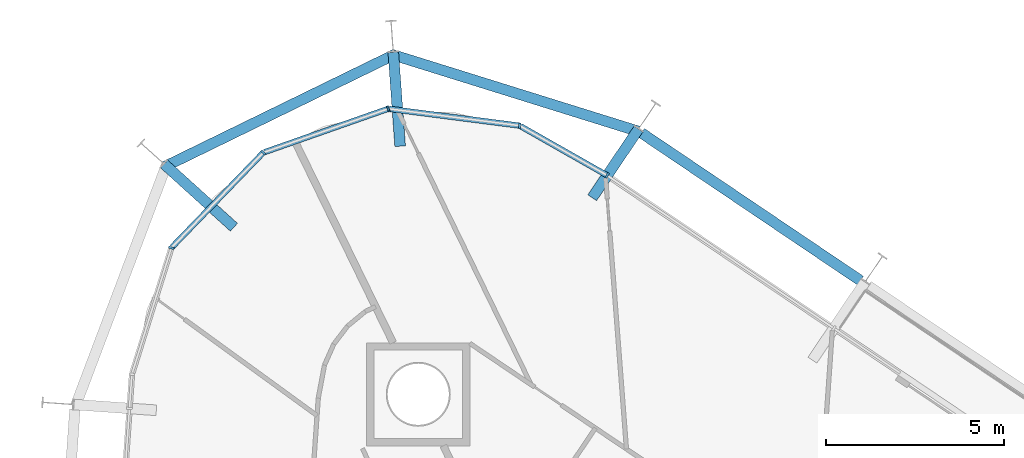
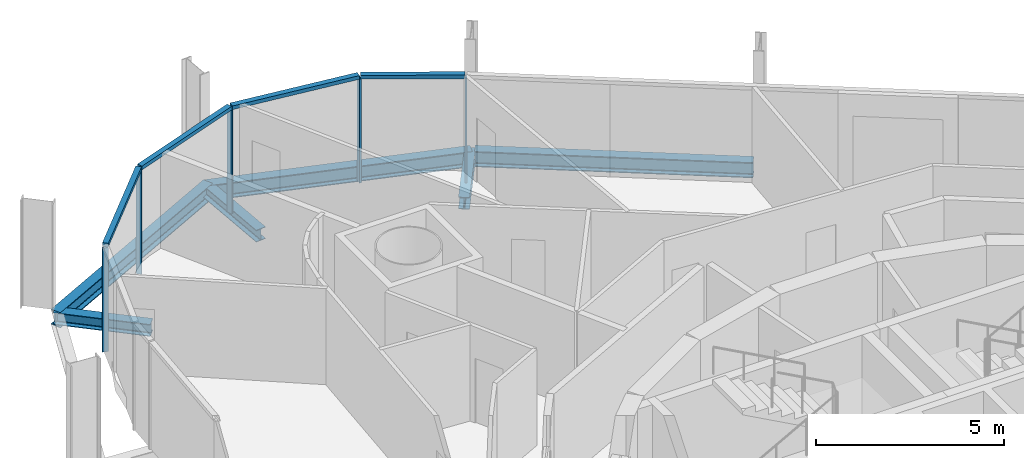
# One storey, part 8 of 17: 9 members, 6 beams, 1 element without a shape of its own.
"""IFC4 building model written with IfcOpenShell, lengths in metres."""

from ifc_helpers import new_model, si_unit, direction, frame, origin, origin_2d, place, context, subcontext, project, spatial, rectangle, i_section, extrude, material, layer, layer_set, material_profile, profile_set, type_object, element, aggregate, save


model = new_model("IFC4")

# Units and contexts
model_context = context("Model", 3, precision=1e-05, world=origin(), true_north=direction((0.0, 1.0)))
body_context = subcontext(model_context, "Body", "Model", "MODEL_VIEW")
ifc_project = project(units=[si_unit("LENGTHUNIT", "METRE"), si_unit("AREAUNIT", "SQUARE_METRE"), si_unit("VOLUMEUNIT", "CUBIC_METRE"), si_unit("PLANEANGLEUNIT", "RADIAN"), si_unit("MASSUNIT", "GRAM", prefix="KILO")], contexts=[model_context])

# Site, building, storey
site_placement = place(None, origin())
site = spatial("IfcSite", under=ifc_project, at=site_placement, CompositionType="ELEMENT")
building_placement = place(site_placement, origin())
building = spatial("IfcBuilding", under=site, at=building_placement, Name="Spindle Arch Residences", CompositionType="ELEMENT")
storey_placement = place(building_placement, frame((0.0, 0.0, 191.89990234375)))
storey = spatial("IfcBuildingStorey", under=building, at=storey_placement, Name="L48", CompositionType="ELEMENT", Elevation=191.89990234375)

# Curtain wall, members
ifc_material_1 = material(Name="Aluminium bronze unitised frame with tinted glass", Category="aluminium")
ifc_layer = layer(ifc_material_1, 0.159912109375)
ifc_layer_set = layer_set([ifc_layer], Name="CW-D corner wall on the fillet arcs")
curtain_wall_type = type_object("IfcCurtainWallType", Name="CW-D corner wall on the fillet arcs", PredefinedType="NOTDEFINED", material=ifc_layer_set)
curtain_wall_placement = place(storey_placement, origin())
curtain_wall = element("IfcCurtainWall", 1, at=curtain_wall_placement, inside=storey, type_object=curtain_wall_type, Name="CW-D L48 run 3", PredefinedType="NOTDEFINED")
ifc_material_2 = material(Name="Aluminium bronze anodised mullion", Category="aluminium")
ifc_material_profile_1 = material_profile(ifc_material_2, rectangle(XDim=0.159912109375, YDim=0.06005859375, at=origin_2d()), Name="MU 60x160")
ifc_profile_set_1 = profile_set([ifc_material_profile_1], Name="Aluminium bronze anodised mullion")
member_type_1 = type_object("IfcMemberType", Name="Bronze mullion 60x160", PredefinedType="MULLION", material=ifc_profile_set_1)
member_1_placement = place(storey_placement, frame((-3.608642578125, 24.46044921875, -0.3798828125), z_axis=(0.0, 0.0, 1.0), x_axis=(-0.493864780547, -0.86953871595, 0.0)))
member_1 = element("IfcMember", 2, at=member_1_placement, type_object=member_type_1, Name="CW-D mullion 00", PredefinedType="MULLION", context=body_context, shape_type="SweptSolid", body=[
    extrude(rectangle(XDim=0.159912109375, YDim=0.06005859375, at=origin_2d()), origin(), (0.0, 0.0, 1.0), 3.3798828125),
])
member_2_placement = place(storey_placement, frame((-6.07421875, 25.86083984375, -0.3798828125), z_axis=(0.0, 0.0, 1.0), x_axis=(-0.127641651888, -0.991820351023, 0.0)))
member_2 = element("IfcMember", 3, at=member_2_placement, type_object=member_type_1, Name="CW-D mullion 01", PredefinedType="MULLION", context=body_context, shape_type="SweptSolid", body=[
    extrude(rectangle(XDim=0.159912109375, YDim=0.06005859375, at=origin_2d()), origin(), (0.0, 0.0, 1.0), 3.3798828125),
])
member_3_placement = place(storey_placement, frame((-9.7705078125, 26.336669921875, -0.3798828125), z_axis=(0.0, 0.0, 1.0), x_axis=(0.331063412445, -0.943608508302, 0.0)))
member_3 = element("IfcMember", 4, at=member_3_placement, type_object=member_type_1, Name="CW-D mullion 02", PredefinedType="MULLION", context=body_context, shape_type="SweptSolid", body=[
    extrude(rectangle(XDim=0.159912109375, YDim=0.06005859375, at=origin_2d()), origin(), (0.0, 0.0, 1.0), 3.3798828125),
])
member_4_placement = place(storey_placement, frame((-13.287109375, 25.102783203125, -0.3798828125), z_axis=(0.0, 0.0, 1.0), x_axis=(0.719339801939, -0.694658368802, 0.0)))
member_4 = element("IfcMember", 5, at=member_4_placement, type_object=member_type_1, Name="CW-D mullion 03", PredefinedType="MULLION", context=body_context, shape_type="SweptSolid", body=[
    extrude(rectangle(XDim=0.159912109375, YDim=0.06005859375, at=origin_2d()), origin(), (0.0, 0.0, 1.0), 3.3798828125),
])
member_5_placement = place(storey_placement, frame((-15.8759765625, 22.421875, -0.3798828125), z_axis=(0.0, 0.0, 1.0), x_axis=(0.954587634064, -0.297930275218, 0.0)))
member_5 = element("IfcMember", 6, at=member_5_placement, type_object=member_type_1, Name="CW-D mullion 04", PredefinedType="MULLION", context=body_context, shape_type="SweptSolid", body=[
    extrude(rectangle(XDim=0.159912109375, YDim=0.06005859375, at=origin_2d()), origin(), (0.0, 0.0, 1.0), 3.3798828125),
])
ifc_material_3 = material(Name="Aluminium bronze anodised transom", Category="aluminium")
ifc_material_profile_2 = material_profile(ifc_material_3, rectangle(XDim=0.159912109375, YDim=0.1201171875, at=origin_2d()), Name="TR 120x160")
ifc_profile_set_2 = profile_set([ifc_material_profile_2], Name="Aluminium bronze anodised transom")
member_type_2 = type_object("IfcMemberType", Name="Bronze transom 120x160", PredefinedType="USERDEFINED", material=ifc_profile_set_2)
member_6_placement = place(storey_placement, frame((-3.634521484375, 24.475341796875, 3.06005859375), z_axis=(-0.869571592644, 0.493806890664, 0.0), x_axis=(-0.493806890664, -0.869571592644, 0.0)))
member_6 = element("IfcMember", 7, at=member_6_placement, type_object=member_type_2, Name="CW-D transom 00", ObjectType="TRANSOM", PredefinedType="USERDEFINED", context=body_context, shape_type="SweptSolid", body=[
    extrude(rectangle(XDim=0.159912109375, YDim=0.1201171875, at=origin_2d()), origin(), (0.0, 0.0, 1.0), 2.775634765625),
])
member_7_placement = place(storey_placement, frame((-6.10400390625, 25.86474609375, 3.06005859375), z_axis=(-0.991820609669, 0.127639642101, 0.0), x_axis=(-0.127639642101, -0.991820609669, 0.0)))
member_7 = element("IfcMember", 8, at=member_7_placement, type_object=member_type_2, Name="CW-D transom 01", ObjectType="TRANSOM", PredefinedType="USERDEFINED", context=body_context, shape_type="SweptSolid", body=[
    extrude(rectangle(XDim=0.159912109375, YDim=0.1201171875, at=origin_2d()), origin(), (0.0, 0.0, 1.0), 3.666748046875),
])
member_8_placement = place(storey_placement, frame((-9.798828125, 26.32666015625, 3.06005859375), z_axis=(-0.943613119154, -0.331050270141, 0.0), x_axis=(0.331050270141, -0.943613119154, 0.0)))
member_8 = element("IfcMember", 9, at=member_8_placement, type_object=member_type_2, Name="CW-D transom 02", ObjectType="TRANSOM", PredefinedType="USERDEFINED", context=body_context, shape_type="SweptSolid", body=[
    extrude(rectangle(XDim=0.159912109375, YDim=0.1201171875, at=origin_2d()), origin(), (0.0, 0.0, 1.0), 3.666748046875),
])
member_9_placement = place(storey_placement, frame((-13.307861328125, 25.081298828125, 3.06005859375), z_axis=(-0.694647982093, -0.719349832122, 0.0), x_axis=(0.719349832122, -0.694647982093, 0.0)))
member_9 = element("IfcMember", 10, at=member_9_placement, type_object=member_type_2, Name="CW-D transom 03", ObjectType="TRANSOM", PredefinedType="USERDEFINED", context=body_context, shape_type="SweptSolid", body=[
    extrude(rectangle(XDim=0.159912109375, YDim=0.1201171875, at=origin_2d()), origin(), (0.0, 0.0, 1.0), 3.666748046875),
])
aggregate(curtain_wall, [member_1, member_6, member_2, member_7, member_3, member_8, member_4, member_9, member_5])

# Beams
ifc_material_4 = material(Name="Steel S460ML, intumescent coating R 120", Category="steel")
ifc_material_profile_3 = material_profile(ifc_material_4, i_section(OverallWidth=0.300048828125, OverallDepth=0.5, WebThickness=0.014404296875, FlangeThickness=0.028076171875, FilletRadius=0.027099609375, at=origin_2d()), Name="HEB 500")
ifc_profile_set_3 = profile_set([ifc_material_profile_3], Name="Steel S460ML, intumescent coating R 120")
beam_type_1 = type_object("IfcBeamType", Name="Exoskeleton edge beam HEB 500", PredefinedType="BEAM", material=ifc_profile_set_3)
beam_1_placement = place(storey_placement, frame((3.517578125, 21.499267578125, -0.6298828125), z_axis=(-0.829031763913, 0.55920151504, 0.0), x_axis=(-0.55920151504, -0.829031763913, 0.0)))
element("IfcBeam", 11, at=beam_1_placement, inside=storey, type_object=beam_type_1, Name="Exoskeleton edge beam 9", PredefinedType="BEAM", context=body_context, shape_type="SweptSolid", body=[
    extrude(i_section(OverallWidth=0.300048828125, OverallDepth=0.5, WebThickness=0.014404296875, FlangeThickness=0.028076171875, FilletRadius=0.027099609375, at=origin_2d()), origin(), (0.0, 0.0, 1.0), 7.433837890625),
])
beam_2_placement = place(storey_placement, frame((-2.729248046875, 25.7001953125, -0.6298828125), z_axis=(-0.954689668885, 0.297603152072, 0.0), x_axis=(-0.297603152072, -0.954689668885, 0.0)))
element("IfcBeam", 12, at=beam_2_placement, inside=storey, type_object=beam_type_1, Name="Exoskeleton edge beam 10", PredefinedType="BEAM", context=body_context, shape_type="SweptSolid", body=[
    extrude(i_section(OverallWidth=0.300048828125, OverallDepth=0.5, WebThickness=0.014404296875, FlangeThickness=0.028076171875, FilletRadius=0.027099609375, at=origin_2d()), origin(), (0.0, 0.0, 1.0), 7.263427734375),
])
beam_3_placement = place(storey_placement, frame((-9.563720703125, 27.876708984375, -0.6298828125), z_axis=(-0.89878236333, -0.438395099616, 0.0), x_axis=(0.438395099616, -0.89878236333, 0.0)))
element("IfcBeam", 13, at=beam_3_placement, inside=storey, type_object=beam_type_1, Name="Exoskeleton edge beam 11", PredefinedType="BEAM", context=body_context, shape_type="SweptSolid", body=[
    extrude(i_section(OverallWidth=0.300048828125, OverallDepth=0.5, WebThickness=0.014404296875, FlangeThickness=0.028076171875, FilletRadius=0.027099609375, at=origin_2d()), origin(), (0.0, 0.0, 1.0), 7.2490234375),
])
ifc_material_5 = material(Name="Steel S460ML, intumescent coating R 120", Category="steel")
ifc_material_profile_4 = material_profile(ifc_material_5, i_section(OverallWidth=0.300048828125, OverallDepth=0.389892578125, WebThickness=0.010986328125, FlangeThickness=0.01904296875, FilletRadius=0.027099609375, at=origin_2d()), Name="HEA 400")
ifc_profile_set_4 = profile_set([ifc_material_profile_4], Name="Steel S460ML, intumescent coating R 120")
beam_type_2 = type_object("IfcBeamType", Name="Floor outrigger HEA 400", PredefinedType="BEAM", material=ifc_profile_set_4)
beam_4_placement = place(storey_placement, frame((-2.730712890625, 25.761962890625, -0.574951171875), z_axis=(-0.559170171593, -0.829052904947, 0.0), x_axis=(0.829052904947, -0.559170171593, 0.0)))
element("IfcBeam", 14, at=beam_4_placement, inside=storey, type_object=beam_type_2, Name="Floor outrigger 10", PredefinedType="BEAM", context=body_context, shape_type="SweptSolid", body=[
    extrude(i_section(OverallWidth=0.300048828125, OverallDepth=0.389892578125, WebThickness=0.010986328125, FlangeThickness=0.01904296875, FilletRadius=0.027099609375, at=origin_2d()), origin(), (0.0, 0.0, 1.0), 2.32763671875),
])
for number, where, z_axis, x_axis, name in (
    (15, (-9.62890625, 27.92529296875, -0.574951171875), (0.072870594007, -0.997341404199, 0.0), (0.997341404199, 0.072870594007, 0.0), "Floor outrigger 11"),
    (16, (-16.0771484375, 24.780029296875, -0.574951171875), (0.741072898018, -0.671424574932, 0.0), (0.671424574932, 0.741072898018, 0.0), "Floor outrigger 12"),
):
    element("IfcBeam", number, at=place(storey_placement, frame(where, z_axis=z_axis, x_axis=x_axis)), inside=storey, type_object=beam_type_2, Name=name, PredefinedType="BEAM", context=body_context, shape_type="SweptSolid", body=[
        extrude(i_section(OverallWidth=0.300048828125, OverallDepth=0.389892578125, WebThickness=0.010986328125, FlangeThickness=0.01904296875, FilletRadius=0.027099609375, at=origin_2d()), origin(), (0.0, 0.0, 1.0), 2.650146484375),
    ])

save(model, "model.ifc")
